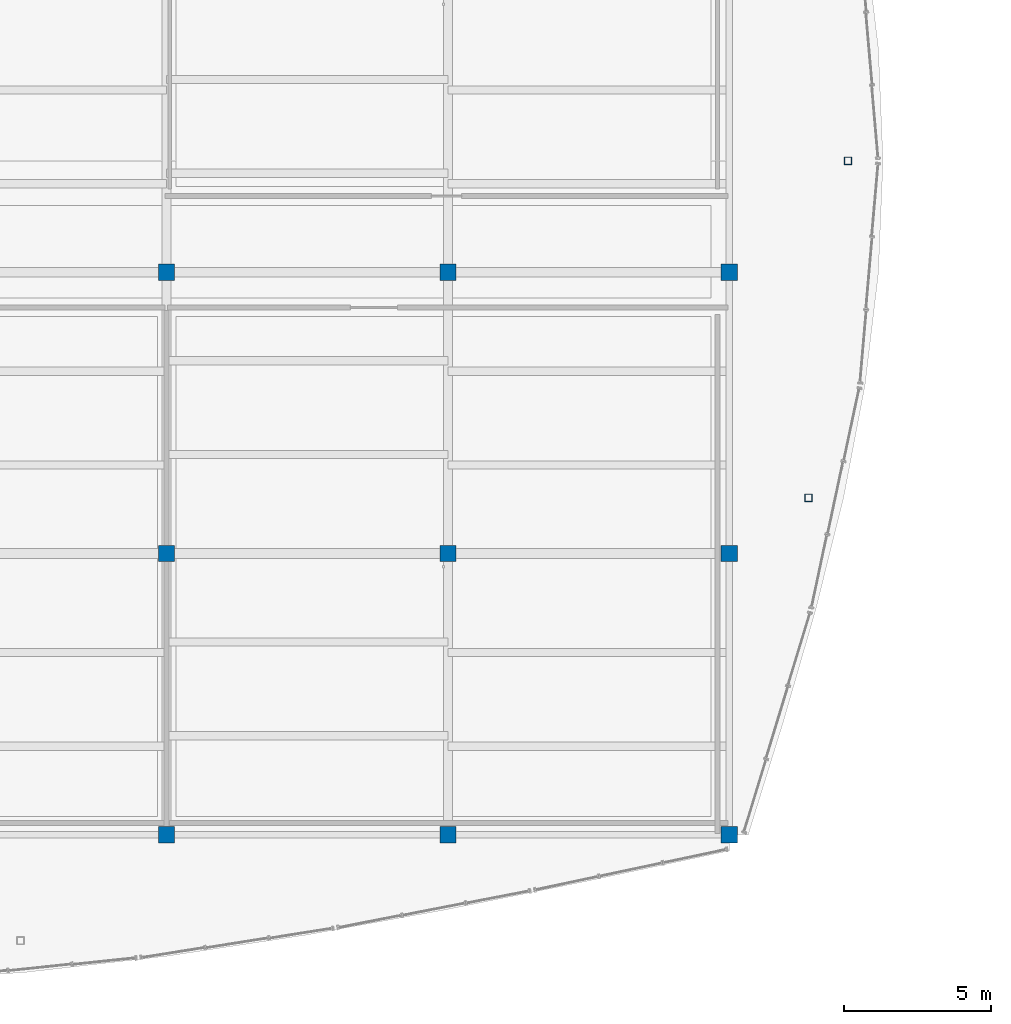
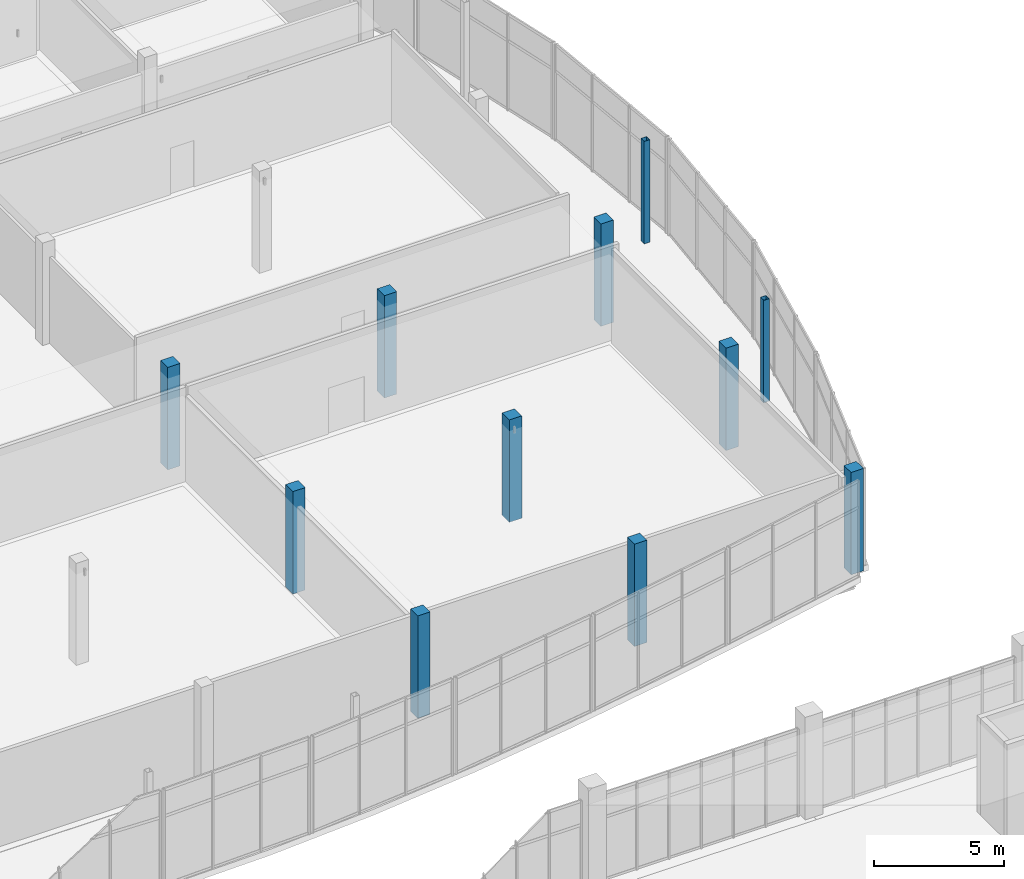
# One storey, part 9 of 157: 11 columns.
"""IFC4 building model written with IfcOpenShell, lengths in metres."""

from ifc_helpers import new_model, si_unit, direction, frame, origin, origin_2d, place, context, subcontext, project, spatial, rectangle, hollow_rectangle, extrude, material, material_profile, profile_set, type_object, element, save


model = new_model("IFC4")

# Units and contexts
model_context = context("Model", 3, precision=1e-05, world=origin(), true_north=direction((0.0, 1.0)))
body_context = subcontext(model_context, "Body", "Model", "MODEL_VIEW")
ifc_project = project(units=[si_unit("LENGTHUNIT", "METRE"), si_unit("AREAUNIT", "SQUARE_METRE"), si_unit("VOLUMEUNIT", "CUBIC_METRE"), si_unit("PLANEANGLEUNIT", "RADIAN"), si_unit("MASSUNIT", "GRAM", prefix="KILO")], contexts=[model_context])

# Site, building, storey
site_placement = place(None, origin())
site = spatial("IfcSite", under=ifc_project, at=site_placement, CompositionType="ELEMENT")
building_placement = place(site_placement, origin())
building = spatial("IfcBuilding", under=site, at=building_placement, Name="Chalmorin Arch Market", CompositionType="ELEMENT")
storey_placement = place(building_placement, frame((0.0, 0.0, 4.800048828125)))
storey = spatial("IfcBuildingStorey", under=building, at=storey_placement, Name="L01", CompositionType="ELEMENT", Elevation=4.800048828125)

# Columns
ifc_material_1 = material(Name="Concrete C40/50", Category="concrete")
ifc_material_profile_1 = material_profile(ifc_material_1, rectangle(XDim=0.550048828125, YDim=0.550048828125, at=origin_2d()), Name="RC550X550")
ifc_profile_set_1 = profile_set([ifc_material_profile_1], Name="Concrete C40/50")
column_type_1 = type_object("IfcColumnType", Name="MidConcreteColumn-550x550", PredefinedType="COLUMN", material=ifc_profile_set_1)
for number, where, z_axis, x_axis, name in (
    (1, (96.0, 72.0, 0.0), (0.0, 0.0, 1.0), (1.0, 0.0, 0.0), "C-RC7-502"),
    (2, (96.0, 81.60009765625, 0.0), (0.0, 0.0, 1.0), (1.0, 0.0, 0.0), "C-RC7-507"),
    (3, (96.0, 91.199951171875, 0.0), (0.0, 0.0, 1.0), (1.0, 0.0, 0.0), "C-RC7-512"),
    (4, (105.60009765625, 72.0, 0.0), (0.0, 0.0, 1.0), (1.0, 0.0, 0.0), "C-RC7-557"),
    (5, (105.60009765625, 81.60009765625, 0.0), (0.0, 0.0, 1.0), (1.0, 0.0, 0.0), "C-RC7-562"),
    (6, (105.60009765625, 91.199951171875, 0.0), (0.0, 0.0, 1.0), (1.0, 0.0, 0.0), "C-RC7-567"),
    (7, (115.199951171875, 72.0, 0.0), (0.0, 0.0, 1.0), (1.0, 0.0, 0.0), "C-RC7-612"),
    (8, (115.199951171875, 81.60009765625, 0.0), (0.0, 0.0, 1.0), (1.0, 0.0, 0.0), "C-RC7-617"),
    (9, (115.199951171875, 91.199951171875, 0.0), (0.0, 0.0, 1.0), (1.0, 0.0, 0.0), "C-RC7-622"),
):
    element("IfcColumn", number, at=place(storey_placement, frame(where, z_axis=z_axis, x_axis=x_axis)), inside=storey, type_object=column_type_1, Name=name, PredefinedType="COLUMN", context=body_context, shape_type="SweptSolid", body=[
        extrude(rectangle(XDim=0.550048828125, YDim=0.550048828125, at=origin_2d()), origin(), (0.0, 0.0, 1.0), 4.800048828125),
    ])
ifc_material_2 = material(Name="Steel A500 Grade C", Category="steel")
ifc_material_profile_2 = material_profile(ifc_material_2, hollow_rectangle(XDim=0.25390625, YDim=0.25390625, WallThickness=0.01171875, at=origin_2d()), Name="HSS10X10X1/2")
ifc_profile_set_2 = profile_set([ifc_material_profile_2], Name="Steel A500 Grade C")
column_type_2 = type_object("IfcColumnType", Name="SteelTubeColumn-HSS10X10", PredefinedType="COLUMN", material=ifc_profile_set_2)
for number, where, z_axis, x_axis, name in (
    (10, (117.903076171875, 83.5, 0.0), (0.0, 0.0, 1.0), (1.0, 0.0, 0.0), "C-HS2-737"),
    (11, (119.25, 95.0, 0.0), (0.0, 0.0, 1.0), (1.0, 0.0, 0.0), "C-HS2-741"),
):
    element("IfcColumn", number, at=place(storey_placement, frame(where, z_axis=z_axis, x_axis=x_axis)), inside=storey, type_object=column_type_2, Name=name, PredefinedType="COLUMN", context=body_context, shape_type="SweptSolid", body=[
        extrude(hollow_rectangle(XDim=0.25390625, YDim=0.25390625, WallThickness=0.01171875, at=origin_2d()), origin(), (0.0, 0.0, 1.0), 4.800048828125),
    ])

save(model, "model.ifc")
